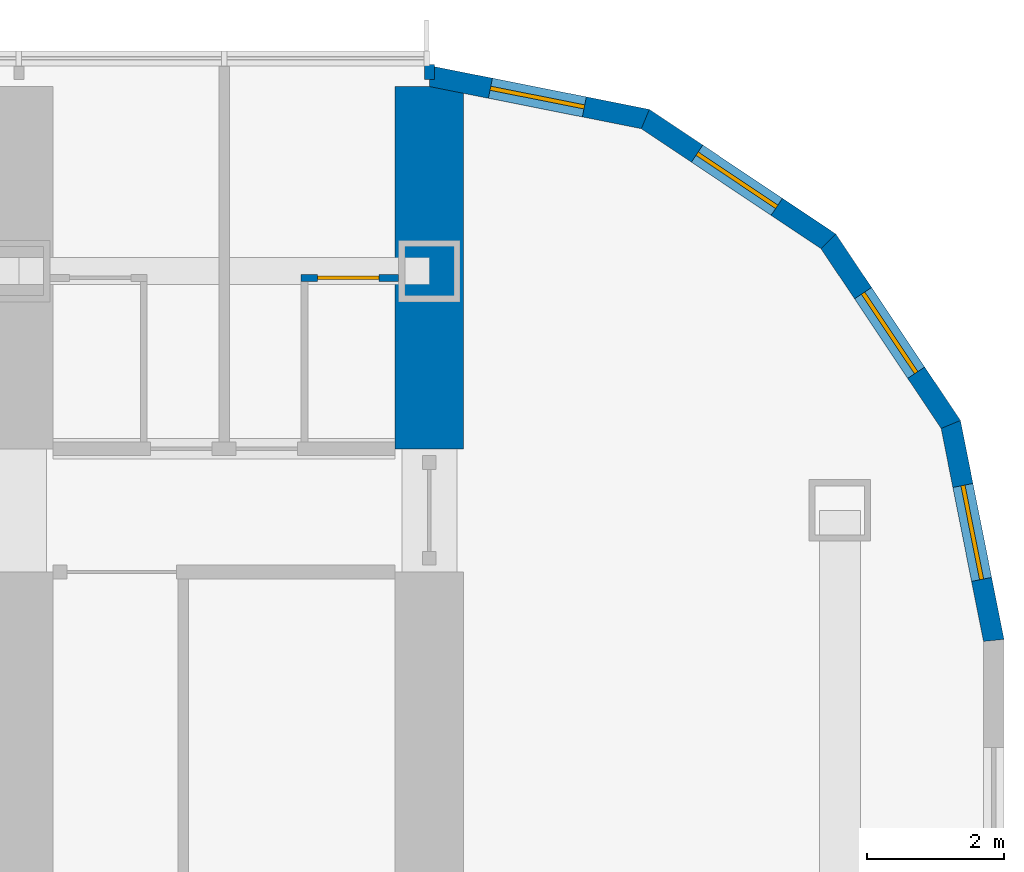
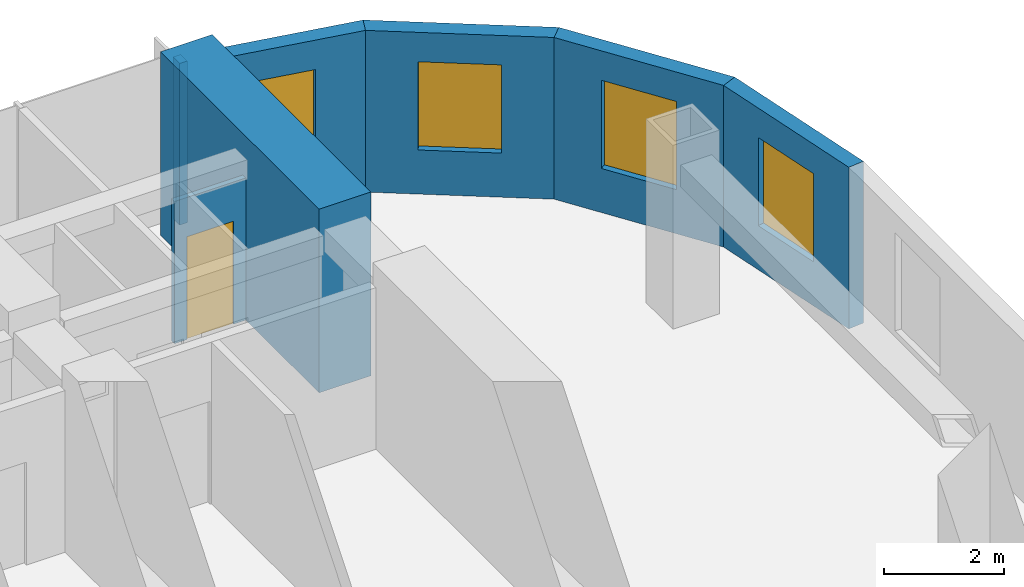
# One storey, part 19 of 24: 7 walls, 4 windows, 1 door, 5 openings.
"""IFC4 building model written with IfcOpenShell, lengths in metres."""

from ifc_helpers import new_model, si_unit, direction, frame, frame_2d, origin, place, context, subcontext, project, spatial, polyline, rectangle, outline, extrude, material, layer, layer_set, type_object, element, fill, save


model = new_model("IFC4")

# Units and contexts
model_context = context("Model", 3, precision=1e-05, world=origin(), true_north=direction((0.0, 1.0)))
body_context = subcontext(model_context, "Body", "Model", "MODEL_VIEW")
ifc_project = project(units=[si_unit("LENGTHUNIT", "METRE"), si_unit("AREAUNIT", "SQUARE_METRE"), si_unit("VOLUMEUNIT", "CUBIC_METRE"), si_unit("PLANEANGLEUNIT", "RADIAN"), si_unit("MASSUNIT", "GRAM", prefix="KILO")], contexts=[model_context])

# Site, building, storey
site_placement = place(None, origin())
site = spatial("IfcSite", under=ifc_project, at=site_placement, CompositionType="ELEMENT")
building_placement = place(site_placement, origin())
building = spatial("IfcBuilding", under=site, at=building_placement, Name="Orbita Commons", CompositionType="ELEMENT")
storey_placement = place(building_placement, frame((0.0, 0.0, 20.199951171875)))
storey = spatial("IfcBuildingStorey", under=building, at=storey_placement, Name="L04", CompositionType="ELEMENT", Elevation=20.199951171875)

# Wall
ifc_material_1 = material(Name="Concrete C50/60", Category="concrete")
ifc_layer_1 = layer(ifc_material_1, 1.0)
ifc_layer_set_1 = layer_set([ifc_layer_1], Name="Concrete C50/60")
wall_type_1 = type_object("IfcWallType", Name="Cross wall 1000 C50/60", PredefinedType="SHEAR", material=ifc_layer_set_1)
wall_1_placement = place(storey_placement, frame((72.0, 51.0, 0.0), z_axis=(0.0, 0.0, 1.0), x_axis=(0.0, 1.0, 0.0)))
element("IfcWall", 1, at=wall_1_placement, inside=storey, type_object=wall_type_1, Name="Cross wall 13 north outer L04", PredefinedType="SHEAR", context=body_context, shape_type="SweptSolid", body=[
    extrude(rectangle(XDim=5.300048828125, YDim=1.0, at=frame_2d((2.64990234375, 0.0))), origin(), (0.0, 0.0, 1.0), 3.75),
])

# Wall, opening, door
ifc_material_2 = material(Name="Moisture-resistant plasterboard on steel studs", Category="steel")
ifc_layer_2 = layer(ifc_material_2, 0.10009765625)
ifc_layer_set_2 = layer_set([ifc_layer_2], Name="Moisture-resistant plasterboard on steel studs")
wall_type_2 = type_object("IfcWallType", Name="En-suite partition 100", PredefinedType="PARTITIONING", material=ifc_layer_set_2)
wall_2_placement = place(storey_placement, frame((70.125, 53.5, 0.0), z_axis=(0.0, 0.0, 1.0), x_axis=(1.0, 0.0, 0.0)))
wall_2 = element("IfcWall", 2, at=wall_2_placement, inside=storey, type_object=wall_type_2, Name="En-suite partition 100 L04", PredefinedType="PARTITIONING", context=body_context, shape_type="SweptSolid", body=[
    extrude(outline(polyline([(0.0, 0.0), (1.425048828125, 0.0), (1.425048828125, 2.900146484375), (0.0, 2.900146484375), (0.0, 0.0)])), frame((0.0, 0.050048828125, 0.0), z_axis=(0.0, -1.0, 0.0), x_axis=(1.0, 0.0, 0.0)), (0.0, 0.0, 1.0), 0.10009765625),
])
opening_1_placement = place(wall_2_placement, frame((0.237548828125, 0.0, 0.0)))
opening_1 = element("IfcOpeningElement", 3, at=opening_1_placement, cuts=wall_2, Name="Opening D09", PredefinedType="OPENING", context=body_context, shape_type="SweptSolid", body=[
    extrude(rectangle(XDim=0.89990234375, YDim=2.10009765625, at=frame_2d((0.449951171875, 1.050048828125))), frame((0.0, 0.06005859375, 0.0), z_axis=(0.0, -1.0, 0.0), x_axis=(1.0, 0.0, 0.0)), (0.0, 0.0, 1.0), 0.1201171875),
])
ifc_material_3 = material(Name="Laminated timber door leaf", Category="wood")
door_type = type_object("IfcDoorType", Name="En-suite door 900x2100", OperationType="SINGLE_SWING_RIGHT", PredefinedType="DOOR", material=ifc_material_3)
door_placement = place(opening_1_placement, origin())
door = element("IfcDoor", 4, at=door_placement, inside=storey, type_object=door_type, Name="En-suite L04-N19 door", OperationType="SINGLE_SWING_RIGHT", OverallHeight=2.10009765625, OverallWidth=0.89990234375, PredefinedType="DOOR", context=body_context, shape_type="SweptSolid", body=[
    extrude(rectangle(XDim=0.89990234375, YDim=2.10009765625, at=frame_2d((0.449951171875, 1.050048828125))), frame((0.0, 0.02490234375, 0.0), z_axis=(0.0, -1.0, 0.0), x_axis=(1.0, 0.0, 0.0)), (0.0, 0.0, 1.0), 0.050048828125),
])
fill(opening_1, door)

# Wall
ifc_material_4 = material(Name="Gypsum plasterboard on steel studs", Category="steel")
ifc_layer_3 = layer(ifc_material_4, 0.14990234375)
ifc_layer_set_3 = layer_set([ifc_layer_3], Name="Gypsum plasterboard on steel studs")
wall_type_3 = type_object("IfcWallType", Name="Partition 150 plasterboard", PredefinedType="PARTITIONING", material=ifc_layer_set_3)
wall_3_placement = place(storey_placement, frame((72.0, 56.39990234375, 0.0), z_axis=(0.0, 0.0, 1.0), x_axis=(0.0, 1.0, 0.0)))
element("IfcWall", 5, at=wall_3_placement, inside=storey, type_object=wall_type_3, Name="Partition 150 plasterboard L04", PredefinedType="PARTITIONING", context=body_context, shape_type="SweptSolid", body=[
    extrude(rectangle(XDim=0.22021484375, YDim=0.14990234375, at=frame_2d((0.110107421875, 0.0))), origin(), (0.0, 0.0, 1.0), 3.300048828125),
])

# Wall, opening, window
ifc_material_5 = material(Name="Precast concrete C40/50, white board-marked finish", Category="concrete")
ifc_layer_4 = layer(ifc_material_5, 0.300048828125)
ifc_layer_set_4 = layer_set([ifc_layer_4], Name="Precast concrete C40/50, white board-marked finish")
wall_type_4 = type_object("IfcWallType", Name="Precast concrete end shield 300", PredefinedType="SOLIDWALL", material=ifc_layer_set_4)
wall_4_placement = place(storey_placement, frame((80.25, 48.199951171875, 0.0), z_axis=(0.0, 0.0, 1.0), x_axis=(-0.195065901187, 0.980790137692, 0.0)))
wall_4 = element("IfcWall", 6, at=wall_4_placement, inside=storey, type_object=wall_type_4, Name="End shield NE chord 1 L04", PredefinedType="SOLIDWALL", context=body_context, shape_type="SweptSolid", body=[
    extrude(outline(polyline([(-0.014892578125, -0.14990234375), (3.248779296875, -0.14990234375), (3.189208984375, 0.14990234375), (0.014892578125, 0.14990234375), (-0.014892578125, -0.14990234375)])), origin(), (0.0, 0.0, 1.0), 3.300048828125),
])
opening_2_placement = place(wall_4_placement, frame((0.909423828125, 0.0, 0.89990234375)))
opening_2 = element("IfcOpeningElement", 7, at=opening_2_placement, cuts=wall_4, Name="Opening W02", PredefinedType="OPENING", context=body_context, shape_type="SweptSolid", body=[
    extrude(rectangle(XDim=1.39990234375, YDim=1.800048828125, at=frame_2d((0.699951171875, 0.89990234375))), frame((0.0, 0.159912109375, 0.0), z_axis=(0.0, -1.0, 0.0), x_axis=(1.0, 0.0, 0.0)), (0.0, 0.0, 1.0), 0.320068359375),
])
ifc_material_6 = material(Name="Aluminium frame, clear double glazing", Category="aluminium")
window_type = type_object("IfcWindowType", Name="Deep-set window 1400x1800", PartitioningType="SINGLE_PANEL", PredefinedType="WINDOW", material=ifc_material_6)
window_1_placement = place(opening_2_placement, origin())
window_1 = element("IfcWindow", 8, at=window_1_placement, inside=storey, type_object=window_type, Name="Window L04-NE0", OverallHeight=1.800048828125, OverallWidth=1.39990234375, PartitioningType="SINGLE_PANEL", PredefinedType="WINDOW", context=body_context, shape_type="SweptSolid", body=[
    extrude(rectangle(XDim=1.39990234375, YDim=1.800048828125, at=frame_2d((0.699951171875, 0.89990234375))), frame((0.0, 0.030029296875, 0.0), z_axis=(0.0, -1.0, 0.0), x_axis=(1.0, 0.0, 0.0)), (0.0, 0.0, 1.0), 0.06005859375),
])
fill(opening_2, window_1)

wall_5_placement = place(storey_placement, frame((79.6220703125, 51.357177734375, 0.0), z_axis=(0.0, 0.0, 1.0), x_axis=(-0.555609954424, 0.831443069936, 0.0)))
wall_5 = element("IfcWall", 9, at=wall_5_placement, inside=storey, type_object=wall_type_4, Name="End shield NE chord 2 L04", PredefinedType="SOLIDWALL", context=body_context, shape_type="SweptSolid", body=[
    extrude(outline(polyline([(-0.02978515625, -0.14990234375), (3.2490234375, -0.14990234375), (3.189453125, 0.14990234375), (0.02978515625, 0.14990234375), (-0.02978515625, -0.14990234375)])), origin(), (0.0, 0.0, 1.0), 3.300048828125),
])
opening_3_placement = place(wall_5_placement, frame((0.909423828125, 0.0, 0.89990234375)))
opening_3 = element("IfcOpeningElement", 10, at=opening_3_placement, cuts=wall_5, Name="Opening W02", PredefinedType="OPENING", context=body_context, shape_type="SweptSolid", body=[
    extrude(rectangle(XDim=1.39990234375, YDim=1.800048828125, at=frame_2d((0.699951171875, 0.89990234375))), frame((0.0, 0.159912109375, 0.0), z_axis=(0.0, -1.0, 0.0), x_axis=(1.0, 0.0, 0.0)), (0.0, 0.0, 1.0), 0.320068359375),
])
window_2_placement = place(opening_3_placement, origin())
window_2 = element("IfcWindow", 11, at=window_2_placement, inside=storey, type_object=window_type, Name="Window L04-NE1", OverallHeight=1.800048828125, OverallWidth=1.39990234375, PartitioningType="SINGLE_PANEL", PredefinedType="WINDOW", context=body_context, shape_type="SweptSolid", body=[
    extrude(rectangle(XDim=1.39990234375, YDim=1.800048828125, at=frame_2d((0.699951171875, 0.89990234375))), frame((0.0, 0.030029296875, 0.0), z_axis=(0.0, -1.0, 0.0), x_axis=(1.0, 0.0, 0.0)), (0.0, 0.0, 1.0), 0.06005859375),
])
fill(opening_3, window_2)

wall_6_placement = place(storey_placement, frame((77.83349609375, 54.03369140625, 0.0), z_axis=(0.0, 0.0, 1.0), x_axis=(-0.831478105043, 0.555557522525, 0.0)))
wall_6 = element("IfcWall", 12, at=wall_6_placement, inside=storey, type_object=wall_type_4, Name="End shield NE chord 3 L04", PredefinedType="SOLIDWALL", context=body_context, shape_type="SweptSolid", body=[
    extrude(outline(polyline([(-0.02978515625, -0.14990234375), (3.248779296875, -0.14990234375), (3.189208984375, 0.14990234375), (0.02978515625, 0.14990234375), (-0.02978515625, -0.14990234375)])), origin(), (0.0, 0.0, 1.0), 3.300048828125),
])
opening_4_placement = place(wall_6_placement, frame((0.909423828125, 0.0, 0.89990234375)))
opening_4 = element("IfcOpeningElement", 13, at=opening_4_placement, cuts=wall_6, Name="Opening W02", PredefinedType="OPENING", context=body_context, shape_type="SweptSolid", body=[
    extrude(rectangle(XDim=1.39990234375, YDim=1.800048828125, at=frame_2d((0.699951171875, 0.89990234375))), frame((0.0, 0.159912109375, 0.0), z_axis=(0.0, -1.0, 0.0), x_axis=(1.0, 0.0, 0.0)), (0.0, 0.0, 1.0), 0.320068359375),
])
window_3_placement = place(opening_4_placement, origin())
window_3 = element("IfcWindow", 14, at=window_3_placement, inside=storey, type_object=window_type, Name="Window L04-NE2", OverallHeight=1.800048828125, OverallWidth=1.39990234375, PartitioningType="SINGLE_PANEL", PredefinedType="WINDOW", context=body_context, shape_type="SweptSolid", body=[
    extrude(rectangle(XDim=1.39990234375, YDim=1.800048828125, at=frame_2d((0.699951171875, 0.89990234375))), frame((0.0, 0.030029296875, 0.0), z_axis=(0.0, -1.0, 0.0), x_axis=(1.0, 0.0, 0.0)), (0.0, 0.0, 1.0), 0.06005859375),
])
fill(opening_4, window_3)

wall_7_placement = place(storey_placement, frame((75.156982421875, 55.822021484375, 0.0), z_axis=(0.0, 0.0, 1.0), x_axis=(-0.980787251524, 0.195080412259, 0.0)))
wall_7 = element("IfcWall", 15, at=wall_7_placement, inside=storey, type_object=wall_type_4, Name="End shield NE chord 4 L04", PredefinedType="SOLIDWALL", context=body_context, shape_type="SweptSolid", body=[
    extrude(outline(polyline([(-0.02978515625, -0.14990234375), (3.24853515625, -0.14990234375), (3.18896484375, 0.14990234375), (0.02978515625, 0.14990234375), (-0.02978515625, -0.14990234375)])), origin(), (0.0, 0.0, 1.0), 3.300048828125),
])
opening_5_placement = place(wall_7_placement, frame((0.909423828125, 0.0, 0.89990234375)))
opening_5 = element("IfcOpeningElement", 16, at=opening_5_placement, cuts=wall_7, Name="Opening W02", PredefinedType="OPENING", context=body_context, shape_type="SweptSolid", body=[
    extrude(rectangle(XDim=1.39990234375, YDim=1.800048828125, at=frame_2d((0.699951171875, 0.89990234375))), frame((0.0, 0.159912109375, 0.0), z_axis=(0.0, -1.0, 0.0), x_axis=(1.0, 0.0, 0.0)), (0.0, 0.0, 1.0), 0.320068359375),
])
window_4_placement = place(opening_5_placement, origin())
window_4 = element("IfcWindow", 17, at=window_4_placement, inside=storey, type_object=window_type, Name="Window L04-NE3", OverallHeight=1.800048828125, OverallWidth=1.39990234375, PartitioningType="SINGLE_PANEL", PredefinedType="WINDOW", context=body_context, shape_type="SweptSolid", body=[
    extrude(rectangle(XDim=1.39990234375, YDim=1.800048828125, at=frame_2d((0.699951171875, 0.89990234375))), frame((0.0, 0.030029296875, 0.0), z_axis=(0.0, -1.0, 0.0), x_axis=(1.0, 0.0, 0.0)), (0.0, 0.0, 1.0), 0.06005859375),
])
fill(opening_5, window_4)

save(model, "model.ifc")
